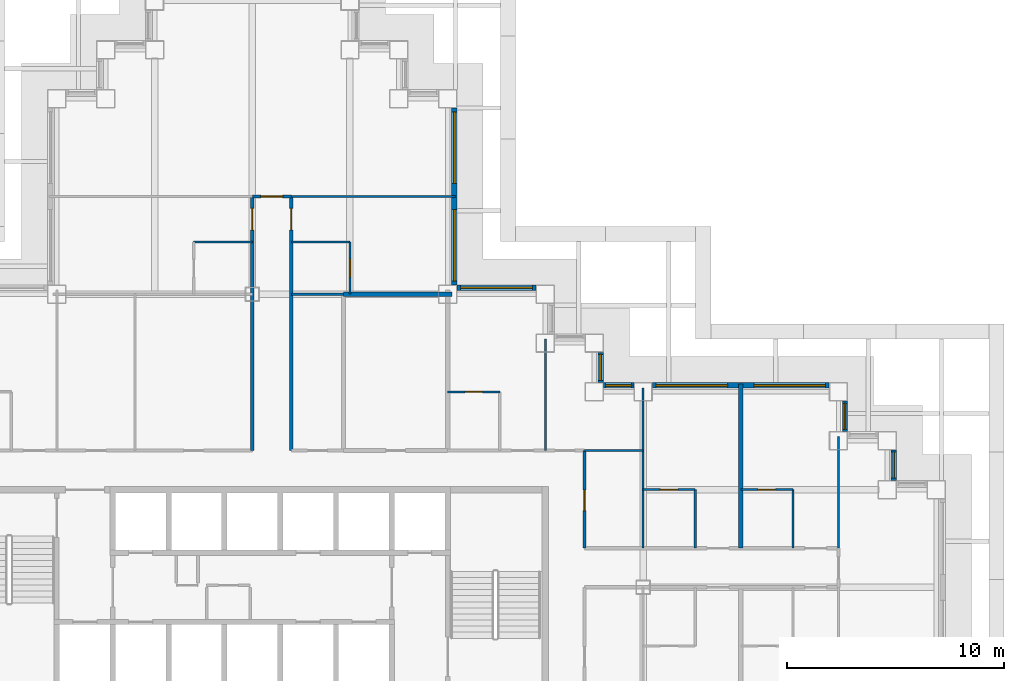
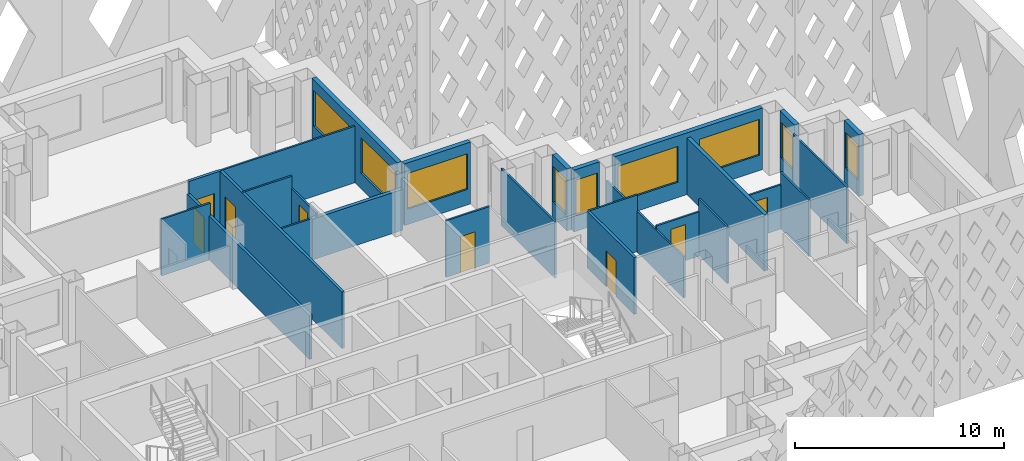
# One storey, part 10 of 21: 27 walls, 9 windows, 8 doors, 17 openings.
"""IFC4 building model written with IfcOpenShell, lengths in metres."""

from ifc_helpers import new_model, si_unit, direction, frame, frame_2d, origin, place, context, subcontext, project, spatial, rectangle, extrude, material, layer, layer_set, type_object, element, fill, save


model = new_model("IFC4")

# Units and contexts
model_context = context("Model", 3, precision=1e-05, world=origin(), true_north=direction((0.0, 1.0)))
body_context = subcontext(model_context, "Body", "Model", "MODEL_VIEW")
ifc_project = project(units=[si_unit("LENGTHUNIT", "METRE"), si_unit("AREAUNIT", "SQUARE_METRE"), si_unit("VOLUMEUNIT", "CUBIC_METRE"), si_unit("PLANEANGLEUNIT", "RADIAN"), si_unit("MASSUNIT", "GRAM", prefix="KILO")], contexts=[model_context])

# Site, building, storey
site_placement = place(None, origin())
site = spatial("IfcSite", under=ifc_project, at=site_placement, CompositionType="ELEMENT")
building_placement = place(site_placement, origin())
building = spatial("IfcBuilding", under=site, at=building_placement, Name="Caravel Reach Hotel and Residences", CompositionType="ELEMENT")
storey_placement = place(building_placement, frame((0.0, 0.0, 129.60009765625)))
storey = spatial("IfcBuildingStorey", under=building, at=storey_placement, Name="L32", CompositionType="ELEMENT", Elevation=129.60009765625)

# Wall, opening, door
ifc_material_1 = material(Name="Gypsum board on steel stud", Category="steel")
ifc_layer_1 = layer(ifc_material_1, 0.10009765625)
ifc_layer_set_1 = layer_set([ifc_layer_1], Name="Bathroom pod wall 100 mm")
wall_type_1 = type_object("IfcWallType", Name="Bathroom pod wall 100 mm", PredefinedType="PARTITIONING", material=ifc_layer_set_1)
wall_1_placement = place(storey_placement, frame((49.5, 31.5, 0.0), z_axis=(0.0, 0.0, 1.0), x_axis=(1.0, 0.0, 0.0)))
wall_1 = element("IfcWall", 1, at=wall_1_placement, inside=storey, type_object=wall_type_1, Name="L32 wall w075", PredefinedType="PARTITIONING", context=body_context, shape_type="SweptSolid", body=[
    extrude(rectangle(XDim=2.39990234375, YDim=0.10009765625, at=frame_2d((1.199951171875, 0.0))), origin(), (0.0, 0.0, 1.0), 2.579833984375),
])
opening_1_placement = place(wall_1_placement, frame((0.800048828125, 0.0, 0.0)))
opening_1 = element("IfcOpeningElement", 2, at=opening_1_placement, cuts=wall_1, Name="Opening D32-025", PredefinedType="OPENING", context=body_context, shape_type="SweptSolid", body=[
    extrude(rectangle(XDim=0.800048828125, YDim=2.10009765625, at=frame_2d((0.39990234375, 1.050048828125))), frame((0.0, 0.06005859375, 0.0), z_axis=(0.0, -1.0, 0.0), x_axis=(1.0, 0.0, 0.0)), (0.0, 0.0, 1.0), 0.1201171875),
])
ifc_material_2 = material(Name="Timber and steel door leaf", Category="steel")
door_type_1 = type_object("IfcDoorType", Name="Bathroom door 800 x 2100", OperationType="SINGLE_SWING_LEFT", PredefinedType="DOOR", material=ifc_material_2)
door_1_placement = place(opening_1_placement, origin())
door_1 = element("IfcDoor", 3, at=door_1_placement, inside=storey, type_object=door_type_1, Name="door D32-025", OperationType="SINGLE_SWING_LEFT", OverallHeight=2.10009765625, OverallWidth=0.800048828125, PredefinedType="DOOR", context=body_context, shape_type="SweptSolid", body=[
    extrude(rectangle(XDim=0.800048828125, YDim=2.10009765625, at=frame_2d((0.39990234375, 1.050048828125))), frame((0.0, 0.02490234375, 0.0), z_axis=(0.0, -1.0, 0.0), x_axis=(1.0, 0.0, 0.0)), (0.0, 0.0, 1.0), 0.050048828125),
])
fill(opening_1, door_1)

wall_2_placement = place(storey_placement, frame((54.0, 31.5, 0.0), z_axis=(0.0, 0.0, 1.0), x_axis=(1.0, 0.0, 0.0)))
wall_2 = element("IfcWall", 4, at=wall_2_placement, inside=storey, type_object=wall_type_1, Name="L32 wall w076", PredefinedType="PARTITIONING", context=body_context, shape_type="SweptSolid", body=[
    extrude(rectangle(XDim=2.39990234375, YDim=0.10009765625, at=frame_2d((1.199951171875, 0.0))), origin(), (0.0, 0.0, 1.0), 2.579833984375),
])
opening_2_placement = place(wall_2_placement, frame((0.800048828125, 0.0, 0.0)))
opening_2 = element("IfcOpeningElement", 5, at=opening_2_placement, cuts=wall_2, Name="Opening D32-027", PredefinedType="OPENING", context=body_context, shape_type="SweptSolid", body=[
    extrude(rectangle(XDim=0.800048828125, YDim=2.10009765625, at=frame_2d((0.39990234375, 1.050048828125))), frame((0.0, 0.06005859375, 0.0), z_axis=(0.0, -1.0, 0.0), x_axis=(1.0, 0.0, 0.0)), (0.0, 0.0, 1.0), 0.1201171875),
])
door_2_placement = place(opening_2_placement, origin())
door_2 = element("IfcDoor", 6, at=door_2_placement, inside=storey, type_object=door_type_1, Name="door D32-027", OperationType="SINGLE_SWING_RIGHT", OverallHeight=2.10009765625, OverallWidth=0.800048828125, PredefinedType="DOOR", context=body_context, shape_type="SweptSolid", body=[
    extrude(rectangle(XDim=0.800048828125, YDim=2.10009765625, at=frame_2d((0.39990234375, 1.050048828125))), frame((0.0, 0.02490234375, 0.0), z_axis=(0.0, -1.0, 0.0), x_axis=(1.0, 0.0, 0.0)), (0.0, 0.0, 1.0), 0.050048828125),
])
fill(opening_2, door_2)

wall_3_placement = place(storey_placement, frame((40.5, 36.0, 0.0), z_axis=(0.0, 0.0, 1.0), x_axis=(1.0, 0.0, 0.0)))
wall_3 = element("IfcWall", 7, at=wall_3_placement, inside=storey, type_object=wall_type_1, Name="L32 wall w078", PredefinedType="PARTITIONING", context=body_context, shape_type="SweptSolid", body=[
    extrude(rectangle(XDim=2.39990234375, YDim=0.10009765625, at=frame_2d((1.199951171875, 0.0))), origin(), (0.0, 0.0, 1.0), 3.2998046875),
])
opening_3_placement = place(wall_3_placement, frame((0.800048828125, 0.0, 0.0)))
opening_3 = element("IfcOpeningElement", 8, at=opening_3_placement, cuts=wall_3, Name="Opening D32-044", PredefinedType="OPENING", context=body_context, shape_type="SweptSolid", body=[
    extrude(rectangle(XDim=0.800048828125, YDim=2.10009765625, at=frame_2d((0.39990234375, 1.050048828125))), frame((0.0, 0.06005859375, 0.0), z_axis=(0.0, -1.0, 0.0), x_axis=(1.0, 0.0, 0.0)), (0.0, 0.0, 1.0), 0.1201171875),
])
door_3_placement = place(opening_3_placement, origin())
door_3 = element("IfcDoor", 9, at=door_3_placement, inside=storey, type_object=door_type_1, Name="door D32-044", OperationType="SINGLE_SWING_RIGHT", OverallHeight=2.10009765625, OverallWidth=0.800048828125, PredefinedType="DOOR", context=body_context, shape_type="SweptSolid", body=[
    extrude(rectangle(XDim=0.800048828125, YDim=2.10009765625, at=frame_2d((0.39990234375, 1.050048828125))), frame((0.0, 0.02490234375, 0.0), z_axis=(0.0, -1.0, 0.0), x_axis=(1.0, 0.0, 0.0)), (0.0, 0.0, 1.0), 0.050048828125),
])
fill(opening_3, door_3)

# Walls
for number, where, z_axis, x_axis, name in (
    (10, (33.300048828125, 42.89990234375, 0.0), (0.0, 0.0, 1.0), (1.0, 0.0, 0.0), "L32 wall w079"),
    (11, (28.800048828125, 42.89990234375, 0.0), (0.0, 0.0, 1.0), (1.0, 0.0, 0.0), "L32 wall w080"),
):
    element("IfcWall", number, at=place(storey_placement, frame(where, z_axis=z_axis, x_axis=x_axis)), inside=storey, type_object=wall_type_1, Name=name, PredefinedType="PARTITIONING", context=body_context, shape_type="SweptSolid", body=[
        extrude(rectangle(XDim=2.699951171875, YDim=0.10009765625, at=frame_2d((1.35009765625, 0.0))), origin(), (0.0, 0.0, 1.0), 3.2998046875),
    ])

# Wall, opening, door
wall_4_placement = place(storey_placement, frame((36.0, 40.5, 0.0), z_axis=(0.0, 0.0, 1.0), x_axis=(0.0, 1.0, 0.0)))
wall_4 = element("IfcWall", 12, at=wall_4_placement, inside=storey, type_object=wall_type_1, Name="L32 wall w089", PredefinedType="PARTITIONING", context=body_context, shape_type="SweptSolid", body=[
    extrude(rectangle(XDim=2.39990234375, YDim=0.10009765625, at=frame_2d((1.199951171875, 0.0))), origin(), (0.0, 0.0, 1.0), 2.579833984375),
])
opening_4_placement = place(wall_4_placement, frame((0.800048828125, 0.0, 0.0)))
opening_4 = element("IfcOpeningElement", 13, at=opening_4_placement, cuts=wall_4, Name="Opening D32-031", PredefinedType="OPENING", context=body_context, shape_type="SweptSolid", body=[
    extrude(rectangle(XDim=0.800048828125, YDim=2.10009765625, at=frame_2d((0.39990234375, 1.050048828125))), frame((0.0, 0.06005859375, 0.0), z_axis=(0.0, -1.0, 0.0), x_axis=(1.0, 0.0, 0.0)), (0.0, 0.0, 1.0), 0.1201171875),
])
door_4_placement = place(opening_4_placement, origin())
door_4 = element("IfcDoor", 14, at=door_4_placement, inside=storey, type_object=door_type_1, Name="door D32-031", OperationType="SINGLE_SWING_RIGHT", OverallHeight=2.10009765625, OverallWidth=0.800048828125, PredefinedType="DOOR", context=body_context, shape_type="SweptSolid", body=[
    extrude(rectangle(XDim=0.800048828125, YDim=2.10009765625, at=frame_2d((0.39990234375, 1.050048828125))), frame((0.0, 0.02490234375, 0.0), z_axis=(0.0, -1.0, 0.0), x_axis=(1.0, 0.0, 0.0)), (0.0, 0.0, 1.0), 0.050048828125),
])
fill(opening_4, door_4)

# Walls
for number, where, z_axis, x_axis, name in (
    (15, (51.89990234375, 28.800048828125, 0.0), (0.0, 0.0, 1.0), (0.0, 1.0, 0.0), "L32 wall w092"),
    (16, (56.39990234375, 28.800048828125, 0.0), (0.0, 0.0, 1.0), (0.0, 1.0, 0.0), "L32 wall w094"),
):
    element("IfcWall", number, at=place(storey_placement, frame(where, z_axis=z_axis, x_axis=x_axis)), inside=storey, type_object=wall_type_1, Name=name, PredefinedType="PARTITIONING", context=body_context, shape_type="SweptSolid", body=[
        extrude(rectangle(XDim=2.699951171875, YDim=0.10009765625, at=frame_2d((1.35009765625, 0.0))), origin(), (0.0, 0.0, 1.0), 3.2998046875),
    ])
ifc_material_3 = material(Name="Autoclaved aerated block wall")
ifc_layer_2 = layer(ifc_material_3, 0.199951171875)
ifc_layer_set_2 = layer_set([ifc_layer_2], Name="Compartment wall 200 mm EI 120")
wall_type_2 = type_object("IfcWallType", Name="Compartment wall 200 mm EI 120", PredefinedType="PARTITIONING", material=ifc_layer_set_2)
wall_5_placement = place(storey_placement, frame((35.699951171875, 40.5, 0.0), z_axis=(0.0, 0.0, 1.0), x_axis=(1.0, 0.0, 0.0)))
element("IfcWall", 17, at=wall_5_placement, inside=storey, type_object=wall_type_2, Name="L32 wall w099", PredefinedType="PARTITIONING", context=body_context, shape_type="SweptSolid", body=[
    extrude(rectangle(XDim=4.989990234375, YDim=0.199951171875, at=frame_2d((2.4951171875, 0.0))), origin(), (0.0, 0.0, 1.0), 2.3798828125),
])

# Wall, opening, door
ifc_material_4 = material(Name="Gypsum board on steel stud, fire-rated", Category="steel")
ifc_layer_3 = layer(ifc_material_4, 0.14990234375)
ifc_layer_set_3 = layer_set([ifc_layer_3], Name="Corridor wall 150 mm EI 60")
wall_type_3 = type_object("IfcWallType", Name="Corridor wall 150 mm EI 60", PredefinedType="PARTITIONING", material=ifc_layer_set_3)
wall_6_placement = place(storey_placement, frame((31.5, 45.0, 0.0), z_axis=(0.0, 0.0, 1.0), x_axis=(1.0, 0.0, 0.0)))
wall_6 = element("IfcWall", 18, at=wall_6_placement, inside=storey, type_object=wall_type_3, Name="L32 wall w021", PredefinedType="PARTITIONING", context=body_context, shape_type="SweptSolid", body=[
    extrude(rectangle(XDim=1.800048828125, YDim=0.14990234375, at=frame_2d((0.89990234375, 0.0))), origin(), (0.0, 0.0, 1.0), 3.2998046875),
])
opening_5_placement = place(wall_6_placement, frame((0.39990234375, 0.0, 0.0)))
opening_5 = element("IfcOpeningElement", 19, at=opening_5_placement, cuts=wall_6, Name="Opening D32-038", PredefinedType="OPENING", context=body_context, shape_type="SweptSolid", body=[
    extrude(rectangle(XDim=1.0, YDim=2.10009765625, at=frame_2d((0.5, 1.050048828125))), frame((0.0, 0.0849609375, 0.0), z_axis=(0.0, -1.0, 0.0), x_axis=(1.0, 0.0, 0.0)), (0.0, 0.0, 1.0), 0.169921875),
])
ifc_material_5 = material(Name="Steel fire door leaf", Category="steel")
door_type_2 = type_object("IfcDoorType", Name="Guest room door 1000 x 2100 EI 30", OperationType="SINGLE_SWING_LEFT", PredefinedType="DOOR", material=ifc_material_5)
door_5_placement = place(opening_5_placement, origin())
door_5 = element("IfcDoor", 20, at=door_5_placement, inside=storey, type_object=door_type_2, Name="door D32-038", OperationType="SINGLE_SWING_LEFT", OverallHeight=2.10009765625, OverallWidth=1.0, PredefinedType="DOOR", context=body_context, shape_type="SweptSolid", body=[
    extrude(rectangle(XDim=1.0, YDim=2.10009765625, at=frame_2d((0.5, 1.050048828125))), frame((0.0, 0.02490234375, 0.0), z_axis=(0.0, -1.0, 0.0), x_axis=(1.0, 0.0, 0.0)), (0.0, 0.0, 1.0), 0.050048828125),
])
fill(opening_5, door_5)

wall_7_placement = place(storey_placement, frame((31.5, 33.300048828125, 0.0), z_axis=(0.0, 0.0, 1.0), x_axis=(0.0, 1.0, 0.0)))
wall_7 = element("IfcWall", 21, at=wall_7_placement, inside=storey, type_object=wall_type_3, Name="L32 wall w029", PredefinedType="PARTITIONING", context=body_context, shape_type="SweptSolid", body=[
    extrude(rectangle(XDim=11.699951171875, YDim=0.14990234375, at=frame_2d((5.85009765625, 0.0))), origin(), (0.0, 0.0, 1.0), 2.579833984375),
])
opening_6_placement = place(wall_7_placement, frame((10.14990234375, 0.0, 0.0)))
opening_6 = element("IfcOpeningElement", 22, at=opening_6_placement, cuts=wall_7, Name="Opening D32-028", PredefinedType="OPENING", context=body_context, shape_type="SweptSolid", body=[
    extrude(rectangle(XDim=1.0, YDim=2.10009765625, at=frame_2d((0.5, 1.050048828125))), frame((0.0, 0.0849609375, 0.0), z_axis=(0.0, -1.0, 0.0), x_axis=(1.0, 0.0, 0.0)), (0.0, 0.0, 1.0), 0.169921875),
])
door_6_placement = place(opening_6_placement, origin())
door_6 = element("IfcDoor", 23, at=door_6_placement, inside=storey, type_object=door_type_2, Name="door D32-028", OperationType="SINGLE_SWING_RIGHT", OverallHeight=2.10009765625, OverallWidth=1.0, PredefinedType="DOOR", context=body_context, shape_type="SweptSolid", body=[
    extrude(rectangle(XDim=1.0, YDim=2.10009765625, at=frame_2d((0.5, 1.050048828125))), frame((0.0, 0.02490234375, 0.0), z_axis=(0.0, -1.0, 0.0), x_axis=(1.0, 0.0, 0.0)), (0.0, 0.0, 1.0), 0.050048828125),
])
fill(opening_6, door_6)

wall_8_placement = place(storey_placement, frame((33.300048828125, 33.300048828125, 0.0), z_axis=(0.0, 0.0, 1.0), x_axis=(0.0, 1.0, 0.0)))
wall_8 = element("IfcWall", 24, at=wall_8_placement, inside=storey, type_object=wall_type_3, Name="L32 wall w032", PredefinedType="PARTITIONING", context=body_context, shape_type="SweptSolid", body=[
    extrude(rectangle(XDim=11.699951171875, YDim=0.14990234375, at=frame_2d((5.85009765625, 0.0))), origin(), (0.0, 0.0, 1.0), 3.2998046875),
])
opening_7_placement = place(wall_8_placement, frame((10.14990234375, 0.0, 0.0)))
opening_7 = element("IfcOpeningElement", 25, at=opening_7_placement, cuts=wall_8, Name="Opening D32-030", PredefinedType="OPENING", context=body_context, shape_type="SweptSolid", body=[
    extrude(rectangle(XDim=1.0, YDim=2.10009765625, at=frame_2d((0.5, 1.050048828125))), frame((0.0, 0.0849609375, 0.0), z_axis=(0.0, -1.0, 0.0), x_axis=(1.0, 0.0, 0.0)), (0.0, 0.0, 1.0), 0.169921875),
])
door_7_placement = place(opening_7_placement, origin())
door_7 = element("IfcDoor", 26, at=door_7_placement, inside=storey, type_object=door_type_2, Name="door D32-030", OperationType="SINGLE_SWING_RIGHT", OverallHeight=2.10009765625, OverallWidth=1.0, PredefinedType="DOOR", context=body_context, shape_type="SweptSolid", body=[
    extrude(rectangle(XDim=1.0, YDim=2.10009765625, at=frame_2d((0.5, 1.050048828125))), frame((0.0, 0.02490234375, 0.0), z_axis=(0.0, -1.0, 0.0), x_axis=(1.0, 0.0, 0.0)), (0.0, 0.0, 1.0), 0.050048828125),
])
fill(opening_7, door_7)

wall_9_placement = place(storey_placement, frame((46.800048828125, 28.800048828125, 0.0), z_axis=(0.0, 0.0, 1.0), x_axis=(0.0, 1.0, 0.0)))
wall_9 = element("IfcWall", 27, at=wall_9_placement, inside=storey, type_object=wall_type_3, Name="L32 wall w033", PredefinedType="PARTITIONING", context=body_context, shape_type="SweptSolid", body=[
    extrude(rectangle(XDim=4.5, YDim=0.14990234375, at=frame_2d((2.25, 0.0))), origin(), (0.0, 0.0, 1.0), 3.2998046875),
])
opening_8_placement = place(wall_9_placement, frame((1.72509765625, 0.0, 0.0)))
opening_8 = element("IfcOpeningElement", 28, at=opening_8_placement, cuts=wall_9, Name="Opening D32-059", PredefinedType="OPENING", context=body_context, shape_type="SweptSolid", body=[
    extrude(rectangle(XDim=0.949951171875, YDim=2.10009765625, at=frame_2d((0.47509765625, 1.050048828125))), frame((0.0, 0.0849609375, 0.0), z_axis=(0.0, -1.0, 0.0), x_axis=(1.0, 0.0, 0.0)), (0.0, 0.0, 1.0), 0.169921875),
])
ifc_material_6 = material(Name="Timber and steel door leaf", Category="steel")
door_type_3 = type_object("IfcDoorType", Name="Accessible WC door 950 x 2100", OperationType="SINGLE_SWING_LEFT", PredefinedType="DOOR", material=ifc_material_6)
door_8_placement = place(opening_8_placement, origin())
door_8 = element("IfcDoor", 29, at=door_8_placement, inside=storey, type_object=door_type_3, Name="door D32-059", OperationType="SINGLE_SWING_LEFT", OverallHeight=2.10009765625, OverallWidth=0.949951171875, PredefinedType="DOOR", context=body_context, shape_type="SweptSolid", body=[
    extrude(rectangle(XDim=0.949951171875, YDim=2.10009765625, at=frame_2d((0.47509765625, 1.050048828125))), frame((0.0, 0.02490234375, 0.0), z_axis=(0.0, -1.0, 0.0), x_axis=(1.0, 0.0, 0.0)), (0.0, 0.0, 1.0), 0.050048828125),
])
fill(opening_8, door_8)

# Wall, opening, window
ifc_material_7 = material(Name="Insulated rainscreen wall, aluminium cladding", Category="aluminium")
ifc_layer_4 = layer(ifc_material_7, 0.25)
ifc_layer_set_4 = layer_set([ifc_layer_4], Name="EW1 Tower rainscreen wall")
wall_type_4 = type_object("IfcWallType", Name="EW1 Tower rainscreen wall", PredefinedType="SOLIDWALL", material=ifc_layer_set_4)
wall_10_placement = place(storey_placement, frame((61.050048828125, 31.925048828125, 0.0), z_axis=(0.0, 0.0, 1.0), x_axis=(0.0, 1.0, 0.0)))
wall_10 = element("IfcWall", 30, at=wall_10_placement, inside=storey, type_object=wall_type_4, Name="External wall L32 E22.1", PredefinedType="SOLIDWALL", context=body_context, shape_type="SweptSolid", body=[
    extrude(rectangle(XDim=1.39990234375, YDim=0.25, at=frame_2d((0.699951171875, 0.0))), origin(), (0.0, 0.0, 1.0), 3.599853515625),
])
opening_9_placement = place(wall_10_placement, frame((0.10009765625, 0.0, 0.89990234375)))
opening_9 = element("IfcOpeningElement", 31, at=opening_9_placement, cuts=wall_10, Name="Opening WN9", PredefinedType="OPENING", context=body_context, shape_type="SweptSolid", body=[
    extrude(rectangle(XDim=1.199951171875, YDim=2.080078125, at=frame_2d((0.60009765625, 1.0400390625))), frame((0.0, 0.135009765625, 0.0), z_axis=(0.0, -1.0, 0.0), x_axis=(1.0, 0.0, 0.0)), (0.0, 0.0, 1.0), 0.27001953125),
])
ifc_material_8 = material(Name="Dark low-e glazing in black aluminium frame", Category="aluminium")
window_type_1 = type_object("IfcWindowType", Name="Hotel suite corner window 1200 x 2080", PartitioningType="SINGLE_PANEL", PredefinedType="WINDOW", material=ifc_material_8)
window_1_placement = place(opening_9_placement, origin())
window_1 = element("IfcWindow", 32, at=window_1_placement, inside=storey, type_object=window_type_1, Name="Window L32 E22.1.1", OverallHeight=2.080078125, OverallWidth=1.199951171875, PartitioningType="SINGLE_PANEL", PredefinedType="WINDOW", context=body_context, shape_type="SweptSolid", body=[
    extrude(rectangle(XDim=1.199951171875, YDim=2.080078125, at=frame_2d((0.60009765625, 1.0400390625))), frame((0.0, 0.030029296875, 0.0), z_axis=(0.0, -1.0, 0.0), x_axis=(1.0, 0.0, 0.0)), (0.0, 0.0, 1.0), 0.06005859375),
])
fill(opening_9, window_1)

wall_11_placement = place(storey_placement, frame((58.800048828125, 34.175048828125, 0.0), z_axis=(0.0, 0.0, 1.0), x_axis=(0.0, 1.0, 0.0)))
wall_11 = element("IfcWall", 33, at=wall_11_placement, inside=storey, type_object=wall_type_4, Name="External wall L32 E24.1", PredefinedType="SOLIDWALL", context=body_context, shape_type="SweptSolid", body=[
    extrude(rectangle(XDim=1.39990234375, YDim=0.25, at=frame_2d((0.699951171875, 0.0))), origin(), (0.0, 0.0, 1.0), 3.599853515625),
])
opening_10_placement = place(wall_11_placement, frame((0.10009765625, 0.0, 0.89990234375)))
opening_10 = element("IfcOpeningElement", 34, at=opening_10_placement, cuts=wall_11, Name="Opening WN9", PredefinedType="OPENING", context=body_context, shape_type="SweptSolid", body=[
    extrude(rectangle(XDim=1.199951171875, YDim=2.080078125, at=frame_2d((0.60009765625, 1.0400390625))), frame((0.0, 0.135009765625, 0.0), z_axis=(0.0, -1.0, 0.0), x_axis=(1.0, 0.0, 0.0)), (0.0, 0.0, 1.0), 0.27001953125),
])
window_2_placement = place(opening_10_placement, origin())
window_2 = element("IfcWindow", 35, at=window_2_placement, inside=storey, type_object=window_type_1, Name="Window L32 E24.1.1", OverallHeight=2.080078125, OverallWidth=1.199951171875, PartitioningType="SINGLE_PANEL", PredefinedType="WINDOW", context=body_context, shape_type="SweptSolid", body=[
    extrude(rectangle(XDim=1.199951171875, YDim=2.080078125, at=frame_2d((0.60009765625, 1.0400390625))), frame((0.0, 0.030029296875, 0.0), z_axis=(0.0, -1.0, 0.0), x_axis=(1.0, 0.0, 0.0)), (0.0, 0.0, 1.0), 0.06005859375),
])
fill(opening_10, window_2)

# Wall, openings, windows
wall_12_placement = place(storey_placement, frame((58.074951171875, 36.300048828125, 0.0), z_axis=(0.0, 0.0, 1.0), x_axis=(-1.0, 0.0, 0.0)))
wall_12 = element("IfcWall", 36, at=wall_12_placement, inside=storey, type_object=wall_type_4, Name="External wall L32 N25.1", PredefinedType="SOLIDWALL", context=body_context, shape_type="SweptSolid", body=[
    extrude(rectangle(XDim=8.14990234375, YDim=0.25, at=frame_2d((4.074951171875, 0.0))), origin(), (0.0, 0.0, 1.0), 3.599853515625),
])
opening_11_placement = place(wall_12_placement, frame((0.175048828125, 0.0, 0.89990234375)))
opening_11 = element("IfcOpeningElement", 37, at=opening_11_placement, cuts=wall_12, Name="Opening WN4", PredefinedType="OPENING", context=body_context, shape_type="SweptSolid", body=[
    extrude(rectangle(XDim=3.300048828125, YDim=2.080078125, at=frame_2d((1.64990234375, 1.0400390625))), frame((0.0, 0.135009765625, 0.0), z_axis=(0.0, -1.0, 0.0), x_axis=(1.0, 0.0, 0.0)), (0.0, 0.0, 1.0), 0.27001953125),
])
opening_12_placement = place(wall_12_placement, frame((4.675048828125, 0.0, 0.89990234375)))
opening_12 = element("IfcOpeningElement", 38, at=opening_12_placement, cuts=wall_12, Name="Opening WN4", PredefinedType="OPENING", context=body_context, shape_type="SweptSolid", body=[
    extrude(rectangle(XDim=3.300048828125, YDim=2.080078125, at=frame_2d((1.64990234375, 1.0400390625))), frame((0.0, 0.135009765625, 0.0), z_axis=(0.0, -1.0, 0.0), x_axis=(1.0, 0.0, 0.0)), (0.0, 0.0, 1.0), 0.27001953125),
])
ifc_material_9 = material(Name="Dark low-e glazing in black aluminium frame", Category="aluminium")
window_type_2 = type_object("IfcWindowType", Name="Hotel guest room window 3300 x 2080", PartitioningType="SINGLE_PANEL", PredefinedType="WINDOW", material=ifc_material_9)
window_3_placement = place(opening_11_placement, origin())
window_3 = element("IfcWindow", 39, at=window_3_placement, inside=storey, type_object=window_type_2, Name="Window L32 N25.1.1", OverallHeight=2.080078125, OverallWidth=3.300048828125, PartitioningType="SINGLE_PANEL", PredefinedType="WINDOW", context=body_context, shape_type="SweptSolid", body=[
    extrude(rectangle(XDim=3.300048828125, YDim=2.080078125, at=frame_2d((1.64990234375, 1.0400390625))), frame((0.0, 0.030029296875, 0.0), z_axis=(0.0, -1.0, 0.0), x_axis=(1.0, 0.0, 0.0)), (0.0, 0.0, 1.0), 0.06005859375),
])
fill(opening_11, window_3)
window_4_placement = place(opening_12_placement, origin())
window_4 = element("IfcWindow", 40, at=window_4_placement, inside=storey, type_object=window_type_2, Name="Window L32 N25.1.2", OverallHeight=2.080078125, OverallWidth=3.300048828125, PartitioningType="SINGLE_PANEL", PredefinedType="WINDOW", context=body_context, shape_type="SweptSolid", body=[
    extrude(rectangle(XDim=3.300048828125, YDim=2.080078125, at=frame_2d((1.64990234375, 1.0400390625))), frame((0.0, 0.030029296875, 0.0), z_axis=(0.0, -1.0, 0.0), x_axis=(1.0, 0.0, 0.0)), (0.0, 0.0, 1.0), 0.06005859375),
])
fill(opening_12, window_4)

# Wall, opening, window
wall_13_placement = place(storey_placement, frame((49.074951171875, 36.300048828125, 0.0), z_axis=(0.0, 0.0, 1.0), x_axis=(-1.0, 0.0, 0.0)))
wall_13 = element("IfcWall", 41, at=wall_13_placement, inside=storey, type_object=wall_type_4, Name="External wall L32 N25.2", PredefinedType="SOLIDWALL", context=body_context, shape_type="SweptSolid", body=[
    extrude(rectangle(XDim=1.39990234375, YDim=0.25, at=frame_2d((0.699951171875, 0.0))), origin(), (0.0, 0.0, 1.0), 3.599853515625),
])
opening_13_placement = place(wall_13_placement, frame((0.10009765625, 0.0, 0.89990234375)))
opening_13 = element("IfcOpeningElement", 42, at=opening_13_placement, cuts=wall_13, Name="Opening WN9", PredefinedType="OPENING", context=body_context, shape_type="SweptSolid", body=[
    extrude(rectangle(XDim=1.199951171875, YDim=2.080078125, at=frame_2d((0.60009765625, 1.0400390625))), frame((0.0, 0.135009765625, 0.0), z_axis=(0.0, -1.0, 0.0), x_axis=(1.0, 0.0, 0.0)), (0.0, 0.0, 1.0), 0.27001953125),
])
window_5_placement = place(opening_13_placement, origin())
window_5 = element("IfcWindow", 43, at=window_5_placement, inside=storey, type_object=window_type_1, Name="Window L32 N25.2.1", OverallHeight=2.080078125, OverallWidth=1.199951171875, PartitioningType="SINGLE_PANEL", PredefinedType="WINDOW", context=body_context, shape_type="SweptSolid", body=[
    extrude(rectangle(XDim=1.199951171875, YDim=2.080078125, at=frame_2d((0.60009765625, 1.0400390625))), frame((0.0, 0.030029296875, 0.0), z_axis=(0.0, -1.0, 0.0), x_axis=(1.0, 0.0, 0.0)), (0.0, 0.0, 1.0), 0.06005859375),
])
fill(opening_13, window_5)

wall_14_placement = place(storey_placement, frame((47.550048828125, 36.425048828125, 0.0), z_axis=(0.0, 0.0, 1.0), x_axis=(0.0, 1.0, 0.0)))
wall_14 = element("IfcWall", 44, at=wall_14_placement, inside=storey, type_object=wall_type_4, Name="External wall L32 E26.1", PredefinedType="SOLIDWALL", context=body_context, shape_type="SweptSolid", body=[
    extrude(rectangle(XDim=1.39990234375, YDim=0.25, at=frame_2d((0.699951171875, 0.0))), origin(), (0.0, 0.0, 1.0), 3.599853515625),
])
opening_14_placement = place(wall_14_placement, frame((0.10009765625, 0.0, 0.89990234375)))
opening_14 = element("IfcOpeningElement", 45, at=opening_14_placement, cuts=wall_14, Name="Opening WN9", PredefinedType="OPENING", context=body_context, shape_type="SweptSolid", body=[
    extrude(rectangle(XDim=1.199951171875, YDim=2.080078125, at=frame_2d((0.60009765625, 1.0400390625))), frame((0.0, 0.135009765625, 0.0), z_axis=(0.0, -1.0, 0.0), x_axis=(1.0, 0.0, 0.0)), (0.0, 0.0, 1.0), 0.27001953125),
])
window_6_placement = place(opening_14_placement, origin())
window_6 = element("IfcWindow", 46, at=window_6_placement, inside=storey, type_object=window_type_1, Name="Window L32 E26.1.1", OverallHeight=2.080078125, OverallWidth=1.199951171875, PartitioningType="SINGLE_PANEL", PredefinedType="WINDOW", context=body_context, shape_type="SweptSolid", body=[
    extrude(rectangle(XDim=1.199951171875, YDim=2.080078125, at=frame_2d((0.60009765625, 1.0400390625))), frame((0.0, 0.030029296875, 0.0), z_axis=(0.0, -1.0, 0.0), x_axis=(1.0, 0.0, 0.0)), (0.0, 0.0, 1.0), 0.06005859375),
])
fill(opening_14, window_6)

wall_15_placement = place(storey_placement, frame((44.574951171875, 40.800048828125, 0.0), z_axis=(0.0, 0.0, 1.0), x_axis=(-1.0, 0.0, 0.0)))
wall_15 = element("IfcWall", 47, at=wall_15_placement, inside=storey, type_object=wall_type_4, Name="External wall L32 N29.1", PredefinedType="SOLIDWALL", context=body_context, shape_type="SweptSolid", body=[
    extrude(rectangle(XDim=3.64990234375, YDim=0.25, at=frame_2d((1.824951171875, 0.0))), origin(), (0.0, 0.0, 1.0), 3.599853515625),
])
opening_15_placement = place(wall_15_placement, frame((0.175048828125, 0.0, 0.89990234375)))
opening_15 = element("IfcOpeningElement", 48, at=opening_15_placement, cuts=wall_15, Name="Opening WN4", PredefinedType="OPENING", context=body_context, shape_type="SweptSolid", body=[
    extrude(rectangle(XDim=3.300048828125, YDim=2.080078125, at=frame_2d((1.64990234375, 1.0400390625))), frame((0.0, 0.135009765625, 0.0), z_axis=(0.0, -1.0, 0.0), x_axis=(1.0, 0.0, 0.0)), (0.0, 0.0, 1.0), 0.27001953125),
])
window_7_placement = place(opening_15_placement, origin())
window_7 = element("IfcWindow", 49, at=window_7_placement, inside=storey, type_object=window_type_2, Name="Window L32 N29.1.1", OverallHeight=2.080078125, OverallWidth=3.300048828125, PartitioningType="SINGLE_PANEL", PredefinedType="WINDOW", context=body_context, shape_type="SweptSolid", body=[
    extrude(rectangle(XDim=3.300048828125, YDim=2.080078125, at=frame_2d((1.64990234375, 1.0400390625))), frame((0.0, 0.030029296875, 0.0), z_axis=(0.0, -1.0, 0.0), x_axis=(1.0, 0.0, 0.0)), (0.0, 0.0, 1.0), 0.06005859375),
])
fill(opening_15, window_7)

# Wall, openings, windows
wall_16_placement = place(storey_placement, frame((40.800048828125, 40.925048828125, 0.0), z_axis=(0.0, 0.0, 1.0), x_axis=(0.0, 1.0, 0.0)))
wall_16 = element("IfcWall", 50, at=wall_16_placement, inside=storey, type_object=wall_type_4, Name="External wall L32 E30.1", PredefinedType="SOLIDWALL", context=body_context, shape_type="SweptSolid", body=[
    extrude(rectangle(XDim=8.14990234375, YDim=0.25, at=frame_2d((4.074951171875, 0.0))), origin(), (0.0, 0.0, 1.0), 3.599853515625),
])
opening_16_placement = place(wall_16_placement, frame((0.175048828125, 0.0, 0.89990234375)))
opening_16 = element("IfcOpeningElement", 51, at=opening_16_placement, cuts=wall_16, Name="Opening WN4", PredefinedType="OPENING", context=body_context, shape_type="SweptSolid", body=[
    extrude(rectangle(XDim=3.300048828125, YDim=2.080078125, at=frame_2d((1.64990234375, 1.0400390625))), frame((0.0, 0.135009765625, 0.0), z_axis=(0.0, -1.0, 0.0), x_axis=(1.0, 0.0, 0.0)), (0.0, 0.0, 1.0), 0.27001953125),
])
opening_17_placement = place(wall_16_placement, frame((4.675048828125, 0.0, 0.89990234375)))
opening_17 = element("IfcOpeningElement", 52, at=opening_17_placement, cuts=wall_16, Name="Opening WN4", PredefinedType="OPENING", context=body_context, shape_type="SweptSolid", body=[
    extrude(rectangle(XDim=3.300048828125, YDim=2.080078125, at=frame_2d((1.64990234375, 1.0400390625))), frame((0.0, 0.135009765625, 0.0), z_axis=(0.0, -1.0, 0.0), x_axis=(1.0, 0.0, 0.0)), (0.0, 0.0, 1.0), 0.27001953125),
])
window_8_placement = place(opening_16_placement, origin())
window_8 = element("IfcWindow", 53, at=window_8_placement, inside=storey, type_object=window_type_2, Name="Window L32 E30.1.1", OverallHeight=2.080078125, OverallWidth=3.300048828125, PartitioningType="SINGLE_PANEL", PredefinedType="WINDOW", context=body_context, shape_type="SweptSolid", body=[
    extrude(rectangle(XDim=3.300048828125, YDim=2.080078125, at=frame_2d((1.64990234375, 1.0400390625))), frame((0.0, 0.030029296875, 0.0), z_axis=(0.0, -1.0, 0.0), x_axis=(1.0, 0.0, 0.0)), (0.0, 0.0, 1.0), 0.06005859375),
])
fill(opening_16, window_8)
window_9_placement = place(opening_17_placement, origin())
window_9 = element("IfcWindow", 54, at=window_9_placement, inside=storey, type_object=window_type_2, Name="Window L32 E30.1.2", OverallHeight=2.080078125, OverallWidth=3.300048828125, PartitioningType="SINGLE_PANEL", PredefinedType="WINDOW", context=body_context, shape_type="SweptSolid", body=[
    extrude(rectangle(XDim=3.300048828125, YDim=2.080078125, at=frame_2d((1.64990234375, 1.0400390625))), frame((0.0, 0.030029296875, 0.0), z_axis=(0.0, -1.0, 0.0), x_axis=(1.0, 0.0, 0.0)), (0.0, 0.0, 1.0), 0.06005859375),
])
fill(opening_17, window_9)

# Walls
ifc_material_10 = material(Name="Gypsum board on steel stud", Category="steel")
ifc_layer_5 = layer(ifc_material_10, 0.10009765625)
ifc_layer_set_5 = layer_set([ifc_layer_5], Name="Partition 100 mm")
wall_type_5 = type_object("IfcWallType", Name="Partition 100 mm", PredefinedType="PARTITIONING", material=ifc_layer_set_5)
wall_17_placement = place(storey_placement, frame((46.800048828125, 33.300048828125, 0.0), z_axis=(0.0, 0.0, 1.0), x_axis=(1.0, 0.0, 0.0)))
element("IfcWall", 55, at=wall_17_placement, inside=storey, type_object=wall_type_5, Name="L32 wall w041", PredefinedType="PARTITIONING", context=body_context, shape_type="SweptSolid", body=[
    extrude(rectangle(XDim=2.699951171875, YDim=0.10009765625, at=frame_2d((1.35009765625, 0.0))), origin(), (0.0, 0.0, 1.0), 3.2998046875),
])
wall_18_placement = place(storey_placement, frame((33.300048828125, 40.5, 0.0), z_axis=(0.0, 0.0, 1.0), x_axis=(1.0, 0.0, 0.0)))
element("IfcWall", 56, at=wall_18_placement, inside=storey, type_object=wall_type_5, Name="L32 wall w042", PredefinedType="PARTITIONING", context=body_context, shape_type="SweptSolid", body=[
    extrude(rectangle(XDim=2.39990234375, YDim=0.10009765625, at=frame_2d((1.199951171875, 0.0))), origin(), (0.0, 0.0, 1.0), 2.3798828125),
])
wall_19_placement = place(storey_placement, frame((33.300048828125, 45.0, 0.0), z_axis=(0.0, 0.0, 1.0), x_axis=(1.0, 0.0, 0.0)))
element("IfcWall", 57, at=wall_19_placement, inside=storey, type_object=wall_type_5, Name="L32 wall w045", PredefinedType="PARTITIONING", context=body_context, shape_type="SweptSolid", body=[
    extrude(rectangle(XDim=7.56494140625, YDim=0.10009765625, at=frame_2d((3.782470703125, 0.0))), origin(), (0.0, 0.0, 1.0), 3.2998046875),
])
wall_20_placement = place(storey_placement, frame((45.0, 33.300048828125, 0.0), z_axis=(0.0, 0.0, 1.0), x_axis=(0.0, 1.0, 0.0)))
element("IfcWall", 58, at=wall_20_placement, inside=storey, type_object=wall_type_5, Name="L32 wall w055", PredefinedType="PARTITIONING", context=body_context, shape_type="SweptSolid", body=[
    extrude(rectangle(XDim=5.139892578125, YDim=0.10009765625, at=frame_2d((2.56982421875, 0.0))), origin(), (0.0, 0.0, 1.0), 3.2998046875),
])
wall_21_placement = place(storey_placement, frame((49.5, 28.800048828125, 0.0), z_axis=(0.0, 0.0, 1.0), x_axis=(0.0, 1.0, 0.0)))
element("IfcWall", 59, at=wall_21_placement, inside=storey, type_object=wall_type_5, Name="L32 wall w056", PredefinedType="PARTITIONING", context=body_context, shape_type="SweptSolid", body=[
    extrude(rectangle(XDim=7.389892578125, YDim=0.10009765625, at=frame_2d((3.69482421875, 0.0))), origin(), (0.0, 0.0, 1.0), 2.3798828125),
])
wall_22_placement = place(storey_placement, frame((58.5, 28.800048828125, 0.0), z_axis=(0.0, 0.0, 1.0), x_axis=(0.0, 1.0, 0.0)))
element("IfcWall", 60, at=wall_22_placement, inside=storey, type_object=wall_type_5, Name="L32 wall w059", PredefinedType="PARTITIONING", context=body_context, shape_type="SweptSolid", body=[
    extrude(rectangle(XDim=5.139892578125, YDim=0.10009765625, at=frame_2d((2.56982421875, 0.0))), origin(), (0.0, 0.0, 1.0), 3.2998046875),
])
ifc_material_11 = material(Name="Autoclaved aerated block wall")
ifc_layer_6 = layer(ifc_material_11, 0.199951171875)
ifc_layer_set_6 = layer_set([ifc_layer_6], Name="Party wall 200 mm EI 60")
wall_type_6 = type_object("IfcWallType", Name="Party wall 200 mm EI 60", PredefinedType="PARTITIONING", material=ifc_layer_set_6)
wall_23_placement = place(storey_placement, frame((54.0, 28.800048828125, 0.0), z_axis=(0.0, 0.0, 1.0), x_axis=(0.0, 1.0, 0.0)))
element("IfcWall", 61, at=wall_23_placement, inside=storey, type_object=wall_type_6, Name="L32 wall w065", PredefinedType="PARTITIONING", context=body_context, shape_type="SweptSolid", body=[
    extrude(rectangle(XDim=7.56494140625, YDim=0.199951171875, at=frame_2d((3.782470703125, 0.0))), origin(), (0.0, 0.0, 1.0), 3.2998046875),
])

save(model, "model.ifc")
